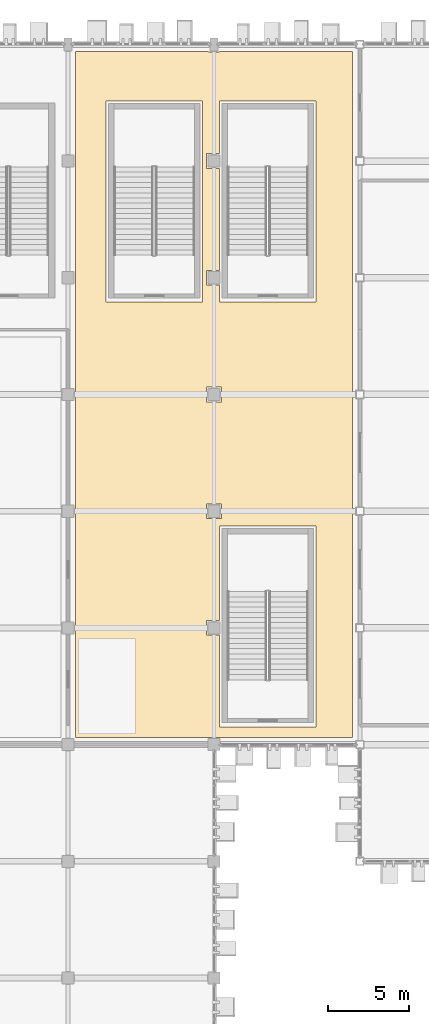
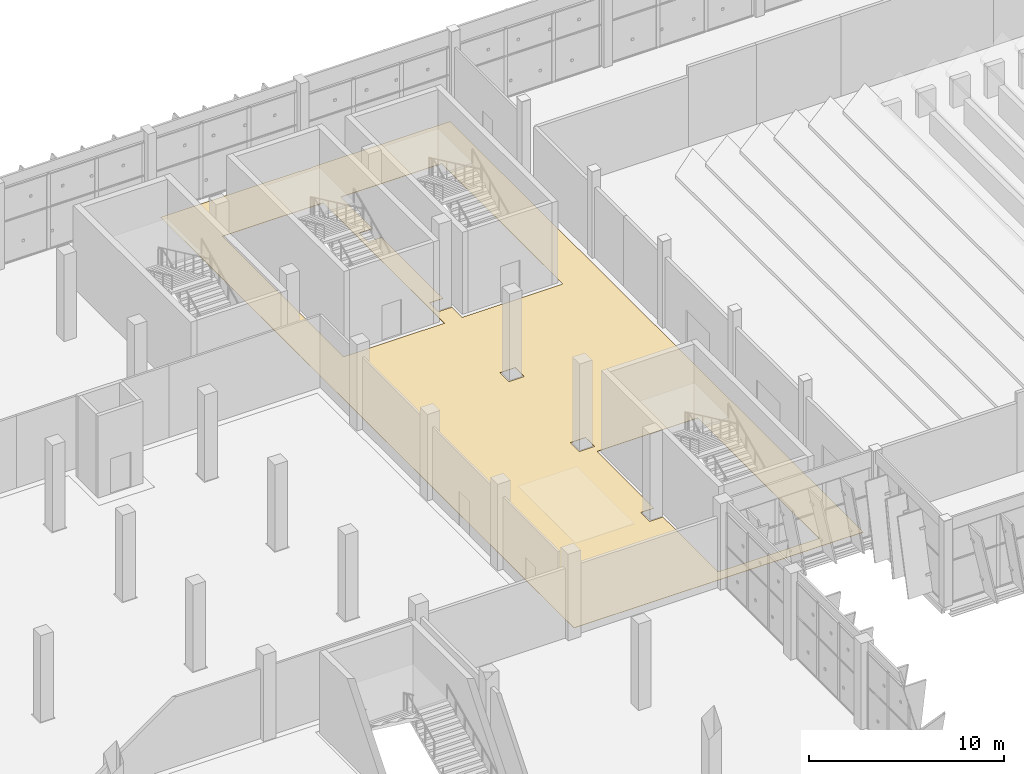
# One storey, part 185 of 189: 1 covering.
"""IFC4 building model written with IfcOpenShell, lengths in metres."""

from ifc_helpers import new_model, si_unit, direction, frame, origin, place, context, subcontext, project, spatial, polyline, outline, extrude, material, layer, layer_set, type_object, element, save


model = new_model("IFC4")

# Units and contexts
model_context = context("Model", 3, precision=1e-05, world=origin(), true_north=direction((0.0, 1.0)))
body_context = subcontext(model_context, "Body", "Model", "MODEL_VIEW")
ifc_project = project(units=[si_unit("LENGTHUNIT", "METRE"), si_unit("AREAUNIT", "SQUARE_METRE"), si_unit("VOLUMEUNIT", "CUBIC_METRE"), si_unit("PLANEANGLEUNIT", "RADIAN"), si_unit("MASSUNIT", "GRAM", prefix="KILO")], contexts=[model_context])

# Site, building, storey
site_placement = place(None, origin())
site = spatial("IfcSite", under=ifc_project, at=site_placement, CompositionType="ELEMENT")
building_placement = place(site_placement, origin())
building = spatial("IfcBuilding", under=site, at=building_placement, Name="Celestram Park Convention Centre", CompositionType="ELEMENT")
storey_placement = place(building_placement, frame((0.0, 0.0, 5.39990234375)))
storey = spatial("IfcBuildingStorey", under=building, at=storey_placement, Name="L01", CompositionType="ELEMENT", Elevation=5.39990234375)

# Covering
ifc_material = material(Name="Polished Lakefront Aggregate Terrazzo Flooring", Category="concrete")
ifc_layer = layer(ifc_material, 0.02001953125)
ifc_layer_set = layer_set([ifc_layer], Name="Polished Lakefront Aggregate Terrazzo Flooring")
covering_type = type_object("IfcCoveringType", Name="ARC-COV-FLR020", PredefinedType="FLOORING", material=ifc_layer_set)
covering_placement = place(storey_placement, origin())
element("IfcCovering", 1, at=covering_placement, inside=storey, type_object=covering_type, Name="Plenary Pre-Function Gallery terrazzo flooring", PredefinedType="FLOORING", context=body_context, shape_type="SweptSolid", body=[
    extrude(outline(polyline([(143.672119140625, 165.14990234375), (143.672119140625, 165.1220703125), (144.327880859375, 165.1220703125), (144.327880859375, 165.14990234375), (152.550048828125, 165.14990234375), (152.550048828125, 122.85009765625), (144.452880859375, 122.85009765625), (144.452880859375, 122.85302734375), (143.547119140625, 122.85302734375), (143.547119140625, 122.85009765625), (135.452880859375, 122.85009765625), (135.452880859375, 122.85302734375), (135.449951171875, 122.85302734375), (135.449951171875, 129.14697265625), (135.452880859375, 129.14697265625), (135.452880859375, 130.052978515625), (135.449951171875, 130.052978515625), (135.449951171875, 136.346923828125), (135.452880859375, 136.346923828125), (135.452880859375, 137.2529296875), (135.449951171875, 137.2529296875), (135.449951171875, 143.547119140625), (135.452880859375, 143.547119140625), (135.452880859375, 144.452880859375), (135.449951171875, 144.452880859375), (135.449951171875, 150.7470703125), (135.452880859375, 150.7470703125), (135.452880859375, 151.653076171875), (135.449951171875, 151.653076171875), (135.449951171875, 157.947021484375), (135.452880859375, 157.947021484375), (135.452880859375, 158.85302734375), (135.449951171875, 158.85302734375), (135.449951171875, 165.14990234375), (143.672119140625, 165.14990234375)]), holes=[polyline([(150.300048828125, 135.89990234375), (144.340087890625, 135.89990234375), (144.340087890625, 130.052978515625), (143.547119140625, 130.052978515625), (143.547119140625, 129.14697265625), (144.340087890625, 129.14697265625), (144.340087890625, 123.5), (150.300048828125, 123.5), (150.300048828125, 135.89990234375)]), polyline([(143.300048828125, 162.10009765625), (137.340087890625, 162.10009765625), (137.340087890625, 149.699951171875), (143.300048828125, 149.699951171875), (143.300048828125, 162.10009765625)]), polyline([(150.300048828125, 149.699951171875), (150.300048828125, 162.10009765625), (144.340087890625, 162.10009765625), (144.340087890625, 158.85302734375), (143.547119140625, 158.85302734375), (143.547119140625, 157.947021484375), (144.340087890625, 157.947021484375), (144.340087890625, 151.653076171875), (143.547119140625, 151.653076171875), (143.547119140625, 150.7470703125), (144.340087890625, 150.7470703125), (144.340087890625, 149.699951171875), (150.300048828125, 149.699951171875)]), polyline([(144.452880859375, 137.2529296875), (143.547119140625, 137.2529296875), (143.547119140625, 136.346923828125), (144.452880859375, 136.346923828125), (144.452880859375, 137.2529296875)]), polyline([(144.452880859375, 144.452880859375), (143.547119140625, 144.452880859375), (143.547119140625, 143.547119140625), (144.452880859375, 143.547119140625), (144.452880859375, 144.452880859375)])]), origin(), (0.0, 0.0, 1.0), 0.02001953125),
])

save(model, "model.ifc")
